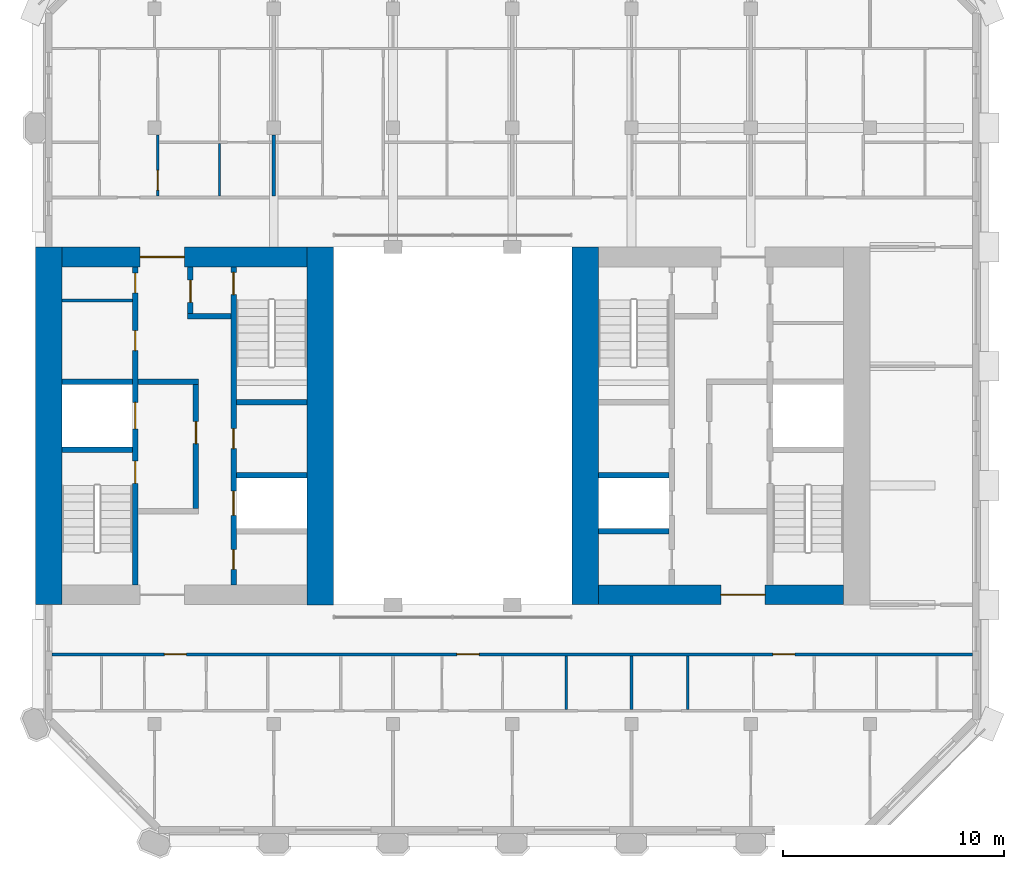
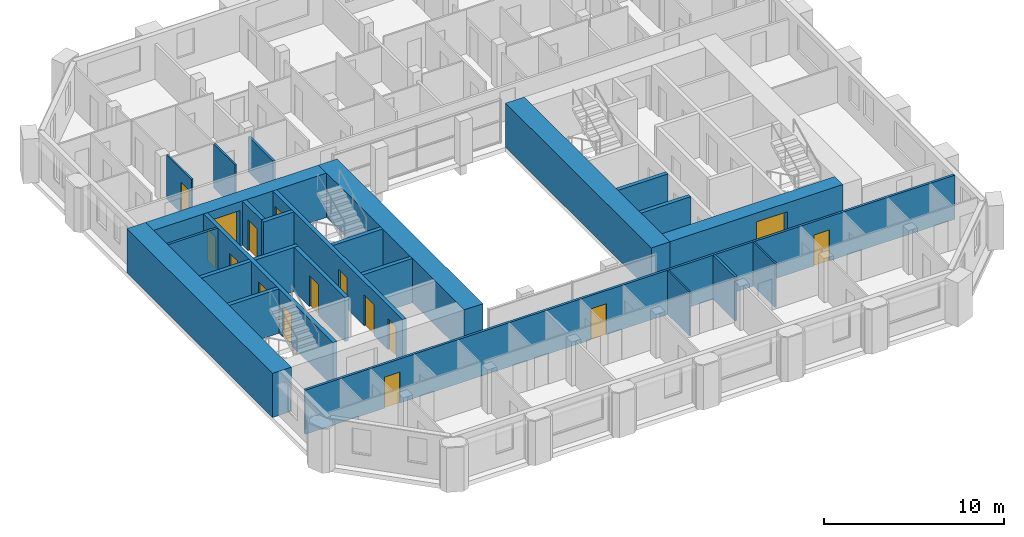
# One storey, part 5 of 13: 25 walls, 16 doors, 16 openings.
"""IFC4 building model written with IfcOpenShell, lengths in metres."""

from ifc_helpers import new_model, si_unit, direction, frame, frame_2d, origin, place, context, subcontext, project, spatial, rectangle, extrude, material, layer, layer_set, type_object, element, fill, save


model = new_model("IFC4")

# Units and contexts
model_context = context("Model", 3, precision=1e-05, world=origin(), true_north=direction((0.0, 1.0)))
body_context = subcontext(model_context, "Body", "Model", "MODEL_VIEW")
ifc_project = project(units=[si_unit("LENGTHUNIT", "METRE"), si_unit("AREAUNIT", "SQUARE_METRE"), si_unit("VOLUMEUNIT", "CUBIC_METRE"), si_unit("PLANEANGLEUNIT", "RADIAN"), si_unit("MASSUNIT", "GRAM", prefix="KILO")], contexts=[model_context])

# Site, building, storey
site_placement = place(None, origin())
site = spatial("IfcSite", under=ifc_project, at=site_placement, CompositionType="ELEMENT")
building_placement = place(site_placement, origin())
building = spatial("IfcBuilding", under=site, at=building_placement, Name="Tabaq Tower and Sports Hall", CompositionType="ELEMENT")
storey_placement = place(building_placement, frame((0.0, 0.0, 291.699951171875)))
storey = spatial("IfcBuildingStorey", under=building, at=storey_placement, Name="L72", CompositionType="ELEMENT", Elevation=291.699951171875)

# Walls
ifc_material_1 = material(Name="Blockwork", Category="masonry")
ifc_layer_1 = layer(ifc_material_1, 0.14990234375)
ifc_layer_set_1 = layer_set([ifc_layer_1], Name="Core room partition 150 Blockwork")
wall_type_1 = type_object("IfcWallType", Name="Core room partition 150 Blockwork", PredefinedType="PARTITIONING", material=ifc_layer_set_1)
wall_1_placement = place(storey_placement, frame((6.60009765625, 29.97705078125, 0.0), z_axis=(0.0, 0.0, 1.0), x_axis=(1.0, 0.0, 0.0)))
element("IfcWall", 1, at=wall_1_placement, inside=storey, type_object=wall_type_1, Name="Core room partition W L72", PredefinedType="PARTITIONING", context=body_context, shape_type="SweptSolid", body=[
    extrude(rectangle(XDim=3.199951171875, YDim=0.14990234375, at=frame_2d((1.60009765625, 0.0))), origin(), (0.0, 0.0, 1.0), 3.0),
])
ifc_material_2 = material(Name="Concrete C40/50", Category="concrete")
ifc_layer_2 = layer(ifc_material_2, 1.199951171875)
ifc_layer_set_2 = layer_set([ifc_layer_2], Name="Core wall 1200 Concrete C40/50")
wall_type_2 = type_object("IfcWallType", Name="Core wall 1200 Concrete C40/50", PredefinedType="SOLIDWALL", material=ifc_layer_set_2)
for number, where, z_axis, x_axis, name in (
    (2, (6.0, 16.199951171875, 0.0), (0.0, 0.0, 1.0), (0.0, 1.0, 0.0), "Core wall W L72"),
    (3, (18.300048828125, 32.39990234375, 0.0), (0.0, 0.0, 1.0), (0.0, -1.0, 0.0), "Core wall W L72"),
    (4, (30.300048828125, 16.199951171875, 0.0), (0.0, 0.0, 1.0), (0.0, 1.0, 0.0), "Core wall E L72"),
):
    element("IfcWall", number, at=place(storey_placement, frame(where, z_axis=z_axis, x_axis=x_axis)), inside=storey, type_object=wall_type_2, Name=name, PredefinedType="SOLIDWALL", context=body_context, shape_type="SweptSolid", body=[
        extrude(rectangle(XDim=16.199951171875, YDim=1.199951171875, at=frame_2d((8.10009765625, 0.0))), origin(), (0.0, 0.0, 1.0), 3.0),
    ])

# Wall, opening, door
ifc_material_3 = material(Name="Concrete C40/50", Category="concrete")
ifc_layer_3 = layer(ifc_material_3, 0.89990234375)
ifc_layer_set_3 = layer_set([ifc_layer_3], Name="Core wall 900 Concrete C40/50")
wall_type_3 = type_object("IfcWallType", Name="Core wall 900 Concrete C40/50", PredefinedType="SOLIDWALL", material=ifc_layer_set_3)
wall_2_placement = place(storey_placement, frame((6.60009765625, 31.949951171875, 0.0), z_axis=(0.0, 0.0, 1.0), x_axis=(1.0, 0.0, 0.0)))
wall_2 = element("IfcWall", 5, at=wall_2_placement, inside=storey, type_object=wall_type_3, Name="Core wall W L72", PredefinedType="SOLIDWALL", context=body_context, shape_type="SweptSolid", body=[
    extrude(rectangle(XDim=11.099853515625, YDim=0.89990234375, at=frame_2d((5.5498046875, 0.0))), origin(), (0.0, 0.0, 1.0), 3.0),
])
opening_1_placement = place(wall_2_placement, frame((3.550048828125, 0.0, 0.0)))
opening_1 = element("IfcOpeningElement", 6, at=opening_1_placement, cuts=wall_2, Name="Opening PD-WL72-02", PredefinedType="OPENING", context=body_context, shape_type="SweptSolid", body=[
    extrude(rectangle(XDim=2.0, YDim=2.39990234375, at=frame_2d((1.0, 1.199951171875))), frame((0.0, 0.449951171875, 0.0), z_axis=(0.0, -1.0, 0.0), x_axis=(1.0, 0.0, 0.0)), (0.0, 0.0, 1.0), 0.89990234375),
])
ifc_material_4 = material(Name="Steel fire door", Category="steel")
door_type_1 = type_object("IfcDoorType", Name="Core entrance door 2000", OperationType="DOUBLE_DOOR_SINGLE_SWING", PredefinedType="DOOR", material=ifc_material_4)
door_1_placement = place(opening_1_placement, origin())
door_1 = element("IfcDoor", 7, at=door_1_placement, inside=storey, type_object=door_type_1, Name="Core entrance north W L72", OperationType="DOUBLE_DOOR_SINGLE_SWING", OverallHeight=2.39990234375, OverallWidth=2.0, PredefinedType="DOOR", context=body_context, shape_type="SweptSolid", body=[
    extrude(rectangle(XDim=2.0, YDim=2.39990234375, at=frame_2d((1.0, 1.199951171875))), frame((0.0, 0.02490234375, 0.0), z_axis=(0.0, -1.0, 0.0), x_axis=(1.0, 0.0, 0.0)), (0.0, 0.0, 1.0), 0.050048828125),
])
fill(opening_1, door_1)

wall_3_placement = place(storey_placement, frame((42.0, 16.64990234375, 0.0), z_axis=(0.0, 0.0, 1.0), x_axis=(-1.0, 0.0, 0.0)))
wall_3 = element("IfcWall", 8, at=wall_3_placement, inside=storey, type_object=wall_type_3, Name="Core wall E L72", PredefinedType="SOLIDWALL", context=body_context, shape_type="SweptSolid", body=[
    extrude(rectangle(XDim=11.10009765625, YDim=0.89990234375, at=frame_2d((5.550048828125, 0.0))), origin(), (0.0, 0.0, 1.0), 3.0),
])
opening_2_placement = place(wall_3_placement, frame((3.550048828125, 0.0, 0.0)))
opening_2 = element("IfcOpeningElement", 9, at=opening_2_placement, cuts=wall_3, Name="Opening PD-EL72-01", PredefinedType="OPENING", context=body_context, shape_type="SweptSolid", body=[
    extrude(rectangle(XDim=2.0, YDim=2.39990234375, at=frame_2d((1.0, 1.199951171875))), frame((0.0, 0.449951171875, 0.0), z_axis=(0.0, -1.0, 0.0), x_axis=(1.0, 0.0, 0.0)), (0.0, 0.0, 1.0), 0.89990234375),
])
door_2_placement = place(opening_2_placement, origin())
door_2 = element("IfcDoor", 10, at=door_2_placement, inside=storey, type_object=door_type_1, Name="Core entrance south E L72", OperationType="DOUBLE_DOOR_SINGLE_SWING", OverallHeight=2.39990234375, OverallWidth=2.0, PredefinedType="DOOR", context=body_context, shape_type="SweptSolid", body=[
    extrude(rectangle(XDim=2.0, YDim=2.39990234375, at=frame_2d((1.0, 1.199951171875))), frame((0.0, 0.02490234375, 0.0), z_axis=(0.0, -1.0, 0.0), x_axis=(1.0, 0.0, 0.0)), (0.0, 0.0, 1.0), 0.050048828125),
])
fill(opening_2, door_2)

ifc_material_5 = material(Name="Gypsum board on steel studs", Category="steel")
ifc_layer_4 = layer(ifc_material_5, 0.10009765625)
ifc_layer_set_4 = layer_set([ifc_layer_4], Name="Partition 100 Gypsum board")
wall_type_4 = type_object("IfcWallType", Name="Partition 100 Gypsum board", PredefinedType="PARTITIONING", material=ifc_layer_set_4)
wall_4_placement = place(storey_placement, frame((10.93994140625, 34.72509765625, 0.0), z_axis=(0.0, 0.0, 1.0), x_axis=(0.0, 1.0, 0.0)))
wall_4 = element("IfcWall", 11, at=wall_4_placement, inside=storey, type_object=wall_type_4, Name="Partition wall L72", PredefinedType="PARTITIONING", context=body_context, shape_type="SweptSolid", body=[
    extrude(rectangle(XDim=2.7548828125, YDim=0.10009765625, at=frame_2d((1.37744140625, 0.0))), origin(), (0.0, 0.0, 1.0), 3.0),
])
opening_3_placement = place(wall_4_placement, frame((0.25, 0.0, 0.0)))
opening_3 = element("IfcOpeningElement", 12, at=opening_3_placement, cuts=wall_4, Name="Opening L72-003", PredefinedType="OPENING", context=body_context, shape_type="SweptSolid", body=[
    extrude(rectangle(XDim=0.89990234375, YDim=2.10009765625, at=frame_2d((0.449951171875, 1.050048828125))), frame((0.0, 0.050048828125, 0.0), z_axis=(0.0, -1.0, 0.0), x_axis=(1.0, 0.0, 0.0)), (0.0, 0.0, 1.0), 0.10009765625),
])
ifc_material_6 = material(Name="Timber leaf in steel frame", Category="steel")
door_type_2 = type_object("IfcDoorType", Name="Internal door 900 right hand", OperationType="SINGLE_SWING_RIGHT", PredefinedType="DOOR", material=ifc_material_6)
door_3_placement = place(opening_3_placement, origin())
door_3 = element("IfcDoor", 13, at=door_3_placement, inside=storey, type_object=door_type_2, Name="Internal door L72-003", OperationType="SINGLE_SWING_RIGHT", OverallHeight=2.10009765625, OverallWidth=0.89990234375, PredefinedType="DOOR", context=body_context, shape_type="SweptSolid", body=[
    extrude(rectangle(XDim=0.89990234375, YDim=2.10009765625, at=frame_2d((0.449951171875, 1.050048828125))), frame((0.0, 0.02490234375, 0.0), z_axis=(0.0, -1.0, 0.0), x_axis=(1.0, 0.0, 0.0)), (0.0, 0.0, 1.0), 0.050048828125),
])
fill(opening_3, door_3)

# Walls
wall_5_placement = place(storey_placement, frame((13.739990234375, 34.72509765625, 0.0), z_axis=(0.0, 0.0, 1.0), x_axis=(0.0, 1.0, 0.0)))
element("IfcWall", 14, at=wall_5_placement, inside=storey, type_object=wall_type_4, Name="Partition wall L72", PredefinedType="PARTITIONING", context=body_context, shape_type="SweptSolid", body=[
    extrude(rectangle(XDim=2.375, YDim=0.10009765625, at=frame_2d((1.1875, 0.0))), origin(), (0.0, 0.0, 1.0), 3.0),
])
for number, where, z_axis, x_axis, name in (
    (15, (29.449951171875, 11.449951171875, 0.0), (0.0, 0.0, 1.0), (0.0, 1.0, 0.0), "Partition wall L72"),
    (16, (34.949951171875, 11.449951171875, 0.0), (0.0, 0.0, 1.0), (0.0, 1.0, 0.0), "Partition wall L72"),
):
    element("IfcWall", number, at=place(storey_placement, frame(where, z_axis=z_axis, x_axis=x_axis)), inside=storey, type_object=wall_type_4, Name=name, PredefinedType="PARTITIONING", context=body_context, shape_type="SweptSolid", body=[
        extrude(rectangle(XDim=2.425048828125, YDim=0.10009765625, at=frame_2d((1.21240234375, 0.0))), origin(), (0.0, 0.0, 1.0), 3.0),
    ])
ifc_material_7 = material(Name="Blockwork", Category="masonry")
ifc_layer_5 = layer(ifc_material_7, 0.14990234375)
ifc_layer_set_5 = layer_set([ifc_layer_5], Name="Separating wall 150 Blockwork")
wall_type_5 = type_object("IfcWallType", Name="Separating wall 150 Blockwork", PredefinedType="PARTITIONING", material=ifc_layer_set_5)
wall_6_placement = place(storey_placement, frame((16.199951171875, 34.72509765625, 0.0), z_axis=(0.0, 0.0, 1.0), x_axis=(0.0, 1.0, 0.0)))
element("IfcWall", 17, at=wall_6_placement, inside=storey, type_object=wall_type_5, Name="Separating wall L72", PredefinedType="PARTITIONING", context=body_context, shape_type="SweptSolid", body=[
    extrude(rectangle(XDim=2.7548828125, YDim=0.14990234375, at=frame_2d((1.37744140625, 0.0))), origin(), (0.0, 0.0, 1.0), 2.400146484375),
])
wall_7_placement = place(storey_placement, frame((32.39990234375, 11.449951171875, 0.0), z_axis=(0.0, 0.0, 1.0), x_axis=(0.0, 1.0, 0.0)))
element("IfcWall", 18, at=wall_7_placement, inside=storey, type_object=wall_type_5, Name="Separating wall L72", PredefinedType="PARTITIONING", context=body_context, shape_type="SweptSolid", body=[
    extrude(rectangle(XDim=2.425048828125, YDim=0.14990234375, at=frame_2d((1.21240234375, 0.0))), origin(), (0.0, 0.0, 1.0), 3.0),
])

# Wall, openings, doors
wall_8_placement = place(storey_placement, frame((47.84912109375, 13.949951171875, 0.0), z_axis=(0.0, 0.0, 1.0), x_axis=(-1.0, 0.0, 0.0)))
wall_8 = element("IfcWall", 19, at=wall_8_placement, inside=storey, type_object=wall_type_5, Name="Separating wall L72", PredefinedType="PARTITIONING", context=body_context, shape_type="SweptSolid", body=[
    extrude(rectangle(XDim=41.6982421875, YDim=0.14990234375, at=frame_2d((20.84912109375, 0.0))), origin(), (0.0, 0.0, 1.0), 3.0),
])
opening_4_placement = place(wall_8_placement, frame((35.60888671875, 0.0, 0.0)))
opening_4 = element("IfcOpeningElement", 20, at=opening_4_placement, cuts=wall_8, Name="Opening L72-061", PredefinedType="OPENING", context=body_context, shape_type="SweptSolid", body=[
    extrude(rectangle(XDim=1.0, YDim=2.10009765625, at=frame_2d((0.5, 1.050048828125))), frame((0.0, 0.074951171875, 0.0), z_axis=(0.0, -1.0, 0.0), x_axis=(1.0, 0.0, 0.0)), (0.0, 0.0, 1.0), 0.14990234375),
])
opening_5_placement = place(wall_8_placement, frame((22.35400390625, 0.0, 0.0)))
opening_5 = element("IfcOpeningElement", 21, at=opening_5_placement, cuts=wall_8, Name="Opening L72-062", PredefinedType="OPENING", context=body_context, shape_type="SweptSolid", body=[
    extrude(rectangle(XDim=1.0, YDim=2.10009765625, at=frame_2d((0.5, 1.050048828125))), frame((0.0, 0.074951171875, 0.0), z_axis=(0.0, -1.0, 0.0), x_axis=(1.0, 0.0, 0.0)), (0.0, 0.0, 1.0), 0.14990234375),
])
opening_6_placement = place(wall_8_placement, frame((8.049072265625, 0.0, 0.0)))
opening_6 = element("IfcOpeningElement", 22, at=opening_6_placement, cuts=wall_8, Name="Opening L72-063", PredefinedType="OPENING", context=body_context, shape_type="SweptSolid", body=[
    extrude(rectangle(XDim=1.0, YDim=2.10009765625, at=frame_2d((0.5, 1.050048828125))), frame((0.0, 0.074951171875, 0.0), z_axis=(0.0, -1.0, 0.0), x_axis=(1.0, 0.0, 0.0)), (0.0, 0.0, 1.0), 0.14990234375),
])
ifc_material_8 = material(Name="Steel fire door", Category="steel")
door_type_3 = type_object("IfcDoorType", Name="Entrance door 1000 left hand", OperationType="SINGLE_SWING_LEFT", PredefinedType="DOOR", material=ifc_material_8)
door_4_placement = place(opening_5_placement, origin())
door_4 = element("IfcDoor", 23, at=door_4_placement, inside=storey, type_object=door_type_3, Name="Entrance door L72-062", OperationType="SINGLE_SWING_LEFT", OverallHeight=2.10009765625, OverallWidth=1.0, PredefinedType="DOOR", context=body_context, shape_type="SweptSolid", body=[
    extrude(rectangle(XDim=1.0, YDim=2.10009765625, at=frame_2d((0.5, 1.050048828125))), frame((0.0, 0.02490234375, 0.0), z_axis=(0.0, -1.0, 0.0), x_axis=(1.0, 0.0, 0.0)), (0.0, 0.0, 1.0), 0.050048828125),
])
fill(opening_5, door_4)
door_5_placement = place(opening_6_placement, origin())
door_5 = element("IfcDoor", 24, at=door_5_placement, inside=storey, type_object=door_type_3, Name="Entrance door L72-063", OperationType="SINGLE_SWING_LEFT", OverallHeight=2.10009765625, OverallWidth=1.0, PredefinedType="DOOR", context=body_context, shape_type="SweptSolid", body=[
    extrude(rectangle(XDim=1.0, YDim=2.10009765625, at=frame_2d((0.5, 1.050048828125))), frame((0.0, 0.02490234375, 0.0), z_axis=(0.0, -1.0, 0.0), x_axis=(1.0, 0.0, 0.0)), (0.0, 0.0, 1.0), 0.050048828125),
])
fill(opening_6, door_5)
ifc_material_9 = material(Name="Steel fire door", Category="steel")
door_type_4 = type_object("IfcDoorType", Name="Entrance door 1000 right hand", OperationType="SINGLE_SWING_RIGHT", PredefinedType="DOOR", material=ifc_material_9)
door_6_placement = place(opening_4_placement, origin())
door_6 = element("IfcDoor", 25, at=door_6_placement, inside=storey, type_object=door_type_4, Name="Entrance door L72-061", OperationType="SINGLE_SWING_RIGHT", OverallHeight=2.10009765625, OverallWidth=1.0, PredefinedType="DOOR", context=body_context, shape_type="SweptSolid", body=[
    extrude(rectangle(XDim=1.0, YDim=2.10009765625, at=frame_2d((0.5, 1.050048828125))), frame((0.0, 0.02490234375, 0.0), z_axis=(0.0, -1.0, 0.0), x_axis=(1.0, 0.0, 0.0)), (0.0, 0.0, 1.0), 0.050048828125),
])
fill(opening_4, door_6)

ifc_material_10 = material(Name="Concrete C40/50", Category="concrete")
ifc_layer_6 = layer(ifc_material_10, 0.25)
ifc_layer_set_6 = layer_set([ifc_layer_6], Name="Shaft and stair wall 250 Concrete C40/50")
wall_type_6 = type_object("IfcWallType", Name="Shaft and stair wall 250 Concrete C40/50", PredefinedType="SOLIDWALL", material=ifc_layer_set_6)
wall_9_placement = place(storey_placement, frame((9.925048828125, 17.10009765625, 0.0), z_axis=(0.0, 0.0, 1.0), x_axis=(0.0, 1.0, 0.0)))
wall_9 = element("IfcWall", 26, at=wall_9_placement, inside=storey, type_object=wall_type_6, Name="Shaft wall W L72", PredefinedType="SOLIDWALL", context=body_context, shape_type="SweptSolid", body=[
    extrude(rectangle(XDim=14.39990234375, YDim=0.25, at=frame_2d((7.199951171875, 0.0))), origin(), (0.0, 0.0, 1.0), 3.0),
])
opening_7_placement = place(wall_9_placement, frame((4.60009765625, 0.0, 0.0)))
opening_7 = element("IfcOpeningElement", 27, at=opening_7_placement, cuts=wall_9, Name="Opening SD-WL72-03", PredefinedType="OPENING", context=body_context, shape_type="SweptSolid", body=[
    extrude(rectangle(XDim=1.0, YDim=2.10009765625, at=frame_2d((0.5, 1.050048828125))), frame((0.0, 0.125, 0.0), z_axis=(0.0, -1.0, 0.0), x_axis=(1.0, 0.0, 0.0)), (0.0, 0.0, 1.0), 0.25),
])
opening_8_placement = place(wall_9_placement, frame((7.0625, 0.0, 0.0)))
opening_8 = element("IfcOpeningElement", 28, at=opening_8_placement, cuts=wall_9, Name="Opening LD-FF1-L72", PredefinedType="OPENING", context=body_context, shape_type="SweptSolid", body=[
    extrude(rectangle(XDim=1.199951171875, YDim=2.10009765625, at=frame_2d((0.60009765625, 1.050048828125))), frame((0.0, 0.125, 0.0), z_axis=(0.0, -1.0, 0.0), x_axis=(1.0, 0.0, 0.0)), (0.0, 0.0, 1.0), 0.25),
])
opening_9_placement = place(wall_9_placement, frame((10.613525390625, 0.0, 0.0)))
opening_9 = element("IfcOpeningElement", 29, at=opening_9_placement, cuts=wall_9, Name="Opening RD-WL72-09", PredefinedType="OPENING", context=body_context, shape_type="SweptSolid", body=[
    extrude(rectangle(XDim=0.89990234375, YDim=2.10009765625, at=frame_2d((0.449951171875, 1.050048828125))), frame((0.0, 0.125, 0.0), z_axis=(0.0, -1.0, 0.0), x_axis=(1.0, 0.0, 0.0)), (0.0, 0.0, 1.0), 0.25),
])
opening_10_placement = place(wall_9_placement, frame((13.22607421875, 0.0, 0.0)))
opening_10 = element("IfcOpeningElement", 30, at=opening_10_placement, cuts=wall_9, Name="Opening RD-WL72-10", PredefinedType="OPENING", context=body_context, shape_type="SweptSolid", body=[
    extrude(rectangle(XDim=0.89990234375, YDim=2.10009765625, at=frame_2d((0.449951171875, 1.050048828125))), frame((0.0, 0.125, 0.0), z_axis=(0.0, -1.0, 0.0), x_axis=(1.0, 0.0, 0.0)), (0.0, 0.0, 1.0), 0.25),
])
ifc_material_11 = material(Name="Steel fire door", Category="steel")
door_type_5 = type_object("IfcDoorType", Name="Core room door 900", OperationType="SINGLE_SWING_LEFT", PredefinedType="DOOR", material=ifc_material_11)
door_7_placement = place(opening_9_placement, origin())
door_7 = element("IfcDoor", 31, at=door_7_placement, inside=storey, type_object=door_type_5, Name="Door Comms Room W L72", OperationType="SINGLE_SWING_LEFT", OverallHeight=2.10009765625, OverallWidth=0.89990234375, PredefinedType="DOOR", context=body_context, shape_type="SweptSolid", body=[
    extrude(rectangle(XDim=0.89990234375, YDim=2.10009765625, at=frame_2d((0.449951171875, 1.050048828125))), frame((0.0, 0.02490234375, 0.0), z_axis=(0.0, -1.0, 0.0), x_axis=(1.0, 0.0, 0.0)), (0.0, 0.0, 1.0), 0.050048828125),
])
fill(opening_9, door_7)
door_8_placement = place(opening_10_placement, origin())
door_8 = element("IfcDoor", 32, at=door_8_placement, inside=storey, type_object=door_type_5, Name="Door Electrical Room W L72", OperationType="SINGLE_SWING_LEFT", OverallHeight=2.10009765625, OverallWidth=0.89990234375, PredefinedType="DOOR", context=body_context, shape_type="SweptSolid", body=[
    extrude(rectangle(XDim=0.89990234375, YDim=2.10009765625, at=frame_2d((0.449951171875, 1.050048828125))), frame((0.0, 0.02490234375, 0.0), z_axis=(0.0, -1.0, 0.0), x_axis=(1.0, 0.0, 0.0)), (0.0, 0.0, 1.0), 0.050048828125),
])
fill(opening_10, door_8)
ifc_material_12 = material(Name="Stainless steel", Category="steel")
door_type_6 = type_object("IfcDoorType", Name="Lift landing door 1200", OperationType="DOUBLE_DOOR_SLIDING", PredefinedType="DOOR", material=ifc_material_12)
door_9_placement = place(opening_8_placement, origin())
door_9 = element("IfcDoor", 33, at=door_9_placement, inside=storey, type_object=door_type_6, Name="Lift landing door FF1 W L72", OperationType="DOUBLE_DOOR_SLIDING", OverallHeight=2.10009765625, OverallWidth=1.199951171875, PredefinedType="DOOR", context=body_context, shape_type="SweptSolid", body=[
    extrude(rectangle(XDim=1.199951171875, YDim=2.10009765625, at=frame_2d((0.60009765625, 1.050048828125))), frame((0.0, 0.02490234375, 0.0), z_axis=(0.0, -1.0, 0.0), x_axis=(1.0, 0.0, 0.0)), (0.0, 0.0, 1.0), 0.050048828125),
])
fill(opening_8, door_9)
ifc_material_13 = material(Name="Steel fire door", Category="steel")
door_type_7 = type_object("IfcDoorType", Name="Stair door 1000", OperationType="SINGLE_SWING_LEFT", PredefinedType="DOOR", material=ifc_material_13)
door_10_placement = place(opening_7_placement, origin())
door_10 = element("IfcDoor", 34, at=door_10_placement, inside=storey, type_object=door_type_7, Name="Stair door ST1 W L72", OperationType="SINGLE_SWING_LEFT", OverallHeight=2.10009765625, OverallWidth=1.0, PredefinedType="DOOR", context=body_context, shape_type="SweptSolid", body=[
    extrude(rectangle(XDim=1.0, YDim=2.10009765625, at=frame_2d((0.5, 1.050048828125))), frame((0.0, 0.02490234375, 0.0), z_axis=(0.0, -1.0, 0.0), x_axis=(1.0, 0.0, 0.0)), (0.0, 0.0, 1.0), 0.050048828125),
])
fill(opening_7, door_10)

wall_10_placement = place(storey_placement, frame((14.375, 17.10009765625, 0.0), z_axis=(0.0, 0.0, 1.0), x_axis=(0.0, 1.0, 0.0)))
wall_10 = element("IfcWall", 35, at=wall_10_placement, inside=storey, type_object=wall_type_6, Name="Shaft wall W L72", PredefinedType="SOLIDWALL", context=body_context, shape_type="SweptSolid", body=[
    extrude(rectangle(XDim=14.39990234375, YDim=0.25, at=frame_2d((7.199951171875, 0.0))), origin(), (0.0, 0.0, 1.0), 3.0),
])
opening_11_placement = place(wall_10_placement, frame((13.14990234375, 0.0, 0.0)))
opening_11 = element("IfcOpeningElement", 36, at=opening_11_placement, cuts=wall_10, Name="Opening SD-WL72-05", PredefinedType="OPENING", context=body_context, shape_type="SweptSolid", body=[
    extrude(rectangle(XDim=1.0, YDim=2.10009765625, at=frame_2d((0.5, 1.050048828125))), frame((0.0, 0.125, 0.0), z_axis=(0.0, -1.0, 0.0), x_axis=(1.0, 0.0, 0.0)), (0.0, 0.0, 1.0), 0.25),
])
opening_12_placement = place(wall_10_placement, frame((3.14990234375, 0.0, 0.0)))
opening_12 = element("IfcOpeningElement", 37, at=opening_12_placement, cuts=wall_10, Name="Opening LD-HR1-L72", PredefinedType="OPENING", context=body_context, shape_type="SweptSolid", body=[
    extrude(rectangle(XDim=1.10009765625, YDim=2.10009765625, at=frame_2d((0.550048828125, 1.050048828125))), frame((0.0, 0.125, 0.0), z_axis=(0.0, -1.0, 0.0), x_axis=(1.0, 0.0, 0.0)), (0.0, 0.0, 1.0), 0.25),
])
opening_13_placement = place(wall_10_placement, frame((0.699951171875, 0.0, 0.0)))
opening_13 = element("IfcOpeningElement", 38, at=opening_13_placement, cuts=wall_10, Name="Opening RD-WL72-11", PredefinedType="OPENING", context=body_context, shape_type="SweptSolid", body=[
    extrude(rectangle(XDim=0.89990234375, YDim=2.10009765625, at=frame_2d((0.449951171875, 1.050048828125))), frame((0.0, 0.125, 0.0), z_axis=(0.0, -1.0, 0.0), x_axis=(1.0, 0.0, 0.0)), (0.0, 0.0, 1.0), 0.25),
])
opening_14_placement = place(wall_10_placement, frame((6.175048828125, 0.0, 0.0)))
opening_14 = element("IfcOpeningElement", 39, at=opening_14_placement, cuts=wall_10, Name="Opening RD-WL72-12", PredefinedType="OPENING", context=body_context, shape_type="SweptSolid", body=[
    extrude(rectangle(XDim=0.89990234375, YDim=2.10009765625, at=frame_2d((0.449951171875, 1.050048828125))), frame((0.0, 0.125, 0.0), z_axis=(0.0, -1.0, 0.0), x_axis=(1.0, 0.0, 0.0)), (0.0, 0.0, 1.0), 0.25),
])
door_11_placement = place(opening_13_placement, origin())
door_11 = element("IfcDoor", 40, at=door_11_placement, inside=storey, type_object=door_type_5, Name="Door Electrical Riser Room W L72", OperationType="SINGLE_SWING_LEFT", OverallHeight=2.10009765625, OverallWidth=0.89990234375, PredefinedType="DOOR", context=body_context, shape_type="SweptSolid", body=[
    extrude(rectangle(XDim=0.89990234375, YDim=2.10009765625, at=frame_2d((0.449951171875, 1.050048828125))), frame((0.0, 0.02490234375, 0.0), z_axis=(0.0, -1.0, 0.0), x_axis=(1.0, 0.0, 0.0)), (0.0, 0.0, 1.0), 0.050048828125),
])
fill(opening_13, door_11)
door_12_placement = place(opening_14_placement, origin())
door_12 = element("IfcDoor", 41, at=door_12_placement, inside=storey, type_object=door_type_5, Name="Door Riser Room W L72", OperationType="SINGLE_SWING_LEFT", OverallHeight=2.10009765625, OverallWidth=0.89990234375, PredefinedType="DOOR", context=body_context, shape_type="SweptSolid", body=[
    extrude(rectangle(XDim=0.89990234375, YDim=2.10009765625, at=frame_2d((0.449951171875, 1.050048828125))), frame((0.0, 0.02490234375, 0.0), z_axis=(0.0, -1.0, 0.0), x_axis=(1.0, 0.0, 0.0)), (0.0, 0.0, 1.0), 0.050048828125),
])
fill(opening_14, door_12)
ifc_material_14 = material(Name="Stainless steel", Category="steel")
door_type_8 = type_object("IfcDoorType", Name="Lift landing door 1100", OperationType="DOUBLE_DOOR_SLIDING", PredefinedType="DOOR", material=ifc_material_14)
door_13_placement = place(opening_12_placement, origin())
door_13 = element("IfcDoor", 42, at=door_13_placement, inside=storey, type_object=door_type_8, Name="Lift landing door HR1 W L72", OperationType="DOUBLE_DOOR_SLIDING", OverallHeight=2.10009765625, OverallWidth=1.10009765625, PredefinedType="DOOR", context=body_context, shape_type="SweptSolid", body=[
    extrude(rectangle(XDim=1.10009765625, YDim=2.10009765625, at=frame_2d((0.550048828125, 1.050048828125))), frame((0.0, 0.02490234375, 0.0), z_axis=(0.0, -1.0, 0.0), x_axis=(1.0, 0.0, 0.0)), (0.0, 0.0, 1.0), 0.050048828125),
])
fill(opening_12, door_13)
door_14_placement = place(opening_11_placement, origin())
door_14 = element("IfcDoor", 43, at=door_14_placement, inside=storey, type_object=door_type_7, Name="Stair door ST2 W L72", OperationType="SINGLE_SWING_LEFT", OverallHeight=2.10009765625, OverallWidth=1.0, PredefinedType="DOOR", context=body_context, shape_type="SweptSolid", body=[
    extrude(rectangle(XDim=1.0, YDim=2.10009765625, at=frame_2d((0.5, 1.050048828125))), frame((0.0, 0.02490234375, 0.0), z_axis=(0.0, -1.0, 0.0), x_axis=(1.0, 0.0, 0.0)), (0.0, 0.0, 1.0), 0.050048828125),
])
fill(opening_11, door_14)

# Walls
for number, where, z_axis, x_axis, name in (
    (44, (6.60009765625, 23.22509765625, 0.0), (0.0, 0.0, 1.0), (1.0, 0.0, 0.0), "Stair enclosure wall W L72"),
    (45, (14.5, 25.375, 0.0), (0.0, 0.0, 1.0), (1.0, 0.0, 0.0), "Stair enclosure wall W L72"),
    (46, (14.5, 22.074951171875, 0.0), (0.0, 0.0, 1.0), (1.0, 0.0, 0.0), "Shaft wall W L72"),
    (47, (6.60009765625, 26.300048828125, 0.0), (0.0, 0.0, 1.0), (1.0, 0.0, 0.0), "Shaft wall W L72"),
):
    element("IfcWall", number, at=place(storey_placement, frame(where, z_axis=z_axis, x_axis=x_axis)), inside=storey, type_object=wall_type_6, Name=name, PredefinedType="SOLIDWALL", context=body_context, shape_type="SweptSolid", body=[
        extrude(rectangle(XDim=3.199951171875, YDim=0.25, at=frame_2d((1.60009765625, 0.0))), origin(), (0.0, 0.0, 1.0), 3.0),
    ])
wall_11_placement = place(storey_placement, frame((10.050048828125, 26.300048828125, 0.0), z_axis=(0.0, 0.0, 1.0), x_axis=(1.0, 0.0, 0.0)))
element("IfcWall", 48, at=wall_11_placement, inside=storey, type_object=wall_type_6, Name="Fire-fighting lobby wall W L72", PredefinedType="SOLIDWALL", context=body_context, shape_type="SweptSolid", body=[
    extrude(rectangle(XDim=2.75, YDim=0.25, at=frame_2d((1.375, 0.0))), origin(), (0.0, 0.0, 1.0), 3.0),
])

# Wall, opening, door
wall_12_placement = place(storey_placement, frame((12.425048828125, 29.39990234375, 0.0), z_axis=(0.0, 0.0, 1.0), x_axis=(0.0, 1.0, 0.0)))
wall_12 = element("IfcWall", 49, at=wall_12_placement, inside=storey, type_object=wall_type_6, Name="Fire-fighting lobby wall W L72", PredefinedType="SOLIDWALL", context=body_context, shape_type="SweptSolid", body=[
    extrude(rectangle(XDim=2.10009765625, YDim=0.25, at=frame_2d((1.050048828125, 0.0))), origin(), (0.0, 0.0, 1.0), 3.0),
])
opening_15_placement = place(wall_12_placement, frame((0.5, 0.0, 0.0)))
opening_15 = element("IfcOpeningElement", 50, at=opening_15_placement, cuts=wall_12, Name="Opening FD-WL72-06", PredefinedType="OPENING", context=body_context, shape_type="SweptSolid", body=[
    extrude(rectangle(XDim=1.0, YDim=2.10009765625, at=frame_2d((0.5, 1.050048828125))), frame((0.0, 0.125, 0.0), z_axis=(0.0, -1.0, 0.0), x_axis=(1.0, 0.0, 0.0)), (0.0, 0.0, 1.0), 0.25),
])
ifc_material_15 = material(Name="Steel fire door", Category="steel")
door_type_9 = type_object("IfcDoorType", Name="Fire-fighting lobby door 1000", OperationType="SINGLE_SWING_LEFT", PredefinedType="DOOR", material=ifc_material_15)
door_15_placement = place(opening_15_placement, origin())
door_15 = element("IfcDoor", 51, at=door_15_placement, inside=storey, type_object=door_type_9, Name="Stair lobby door W L72", OperationType="SINGLE_SWING_LEFT", OverallHeight=2.10009765625, OverallWidth=1.0, PredefinedType="DOOR", context=body_context, shape_type="SweptSolid", body=[
    extrude(rectangle(XDim=1.0, YDim=2.10009765625, at=frame_2d((0.5, 1.050048828125))), frame((0.0, 0.02490234375, 0.0), z_axis=(0.0, -1.0, 0.0), x_axis=(1.0, 0.0, 0.0)), (0.0, 0.0, 1.0), 0.050048828125),
])
fill(opening_15, door_15)

# Wall
wall_13_placement = place(storey_placement, frame((12.300048828125, 29.27490234375, 0.0), z_axis=(0.0, 0.0, 1.0), x_axis=(1.0, 0.0, 0.0)))
element("IfcWall", 52, at=wall_13_placement, inside=storey, type_object=wall_type_6, Name="Fire-fighting lobby wall W L72", PredefinedType="SOLIDWALL", context=body_context, shape_type="SweptSolid", body=[
    extrude(rectangle(XDim=1.949951171875, YDim=0.25, at=frame_2d((0.97509765625, 0.0))), origin(), (0.0, 0.0, 1.0), 3.0),
])

# Wall, opening, door
wall_14_placement = place(storey_placement, frame((12.675048828125, 20.550048828125, 0.0), z_axis=(0.0, 0.0, 1.0), x_axis=(0.0, 1.0, 0.0)))
wall_14 = element("IfcWall", 53, at=wall_14_placement, inside=storey, type_object=wall_type_6, Name="Fire-fighting lobby wall W L72", PredefinedType="SOLIDWALL", context=body_context, shape_type="SweptSolid", body=[
    extrude(rectangle(XDim=5.625, YDim=0.25, at=frame_2d((2.8125, 0.0))), origin(), (0.0, 0.0, 1.0), 3.0),
])
opening_16_placement = place(wall_14_placement, frame((2.949951171875, 0.0, 0.0)))
opening_16 = element("IfcOpeningElement", 54, at=opening_16_placement, cuts=wall_14, Name="Opening FD-WL72-04", PredefinedType="OPENING", context=body_context, shape_type="SweptSolid", body=[
    extrude(rectangle(XDim=1.0, YDim=2.10009765625, at=frame_2d((0.5, 1.050048828125))), frame((0.0, 0.125, 0.0), z_axis=(0.0, -1.0, 0.0), x_axis=(1.0, 0.0, 0.0)), (0.0, 0.0, 1.0), 0.25),
])
door_16_placement = place(opening_16_placement, origin())
door_16 = element("IfcDoor", 55, at=door_16_placement, inside=storey, type_object=door_type_9, Name="Fire-fighting lobby door W L72", OperationType="SINGLE_SWING_LEFT", OverallHeight=2.10009765625, OverallWidth=1.0, PredefinedType="DOOR", context=body_context, shape_type="SweptSolid", body=[
    extrude(rectangle(XDim=1.0, YDim=2.10009765625, at=frame_2d((0.5, 1.050048828125))), frame((0.0, 0.02490234375, 0.0), z_axis=(0.0, -1.0, 0.0), x_axis=(1.0, 0.0, 0.0)), (0.0, 0.0, 1.0), 0.050048828125),
])
fill(opening_16, door_16)

# Walls
for number, where, z_axis, x_axis, name in (
    (56, (30.89990234375, 22.074951171875, 0.0), (0.0, 0.0, 1.0), (1.0, 0.0, 0.0), "Shaft wall E L72"),
    (57, (30.89990234375, 19.52490234375, 0.0), (0.0, 0.0, 1.0), (1.0, 0.0, 0.0), "Shaft wall E L72"),
):
    element("IfcWall", number, at=place(storey_placement, frame(where, z_axis=z_axis, x_axis=x_axis)), inside=storey, type_object=wall_type_6, Name=name, PredefinedType="SOLIDWALL", context=body_context, shape_type="SweptSolid", body=[
        extrude(rectangle(XDim=3.2001953125, YDim=0.25, at=frame_2d((1.60009765625, 0.0))), origin(), (0.0, 0.0, 1.0), 3.0),
    ])

save(model, "model.ifc")
